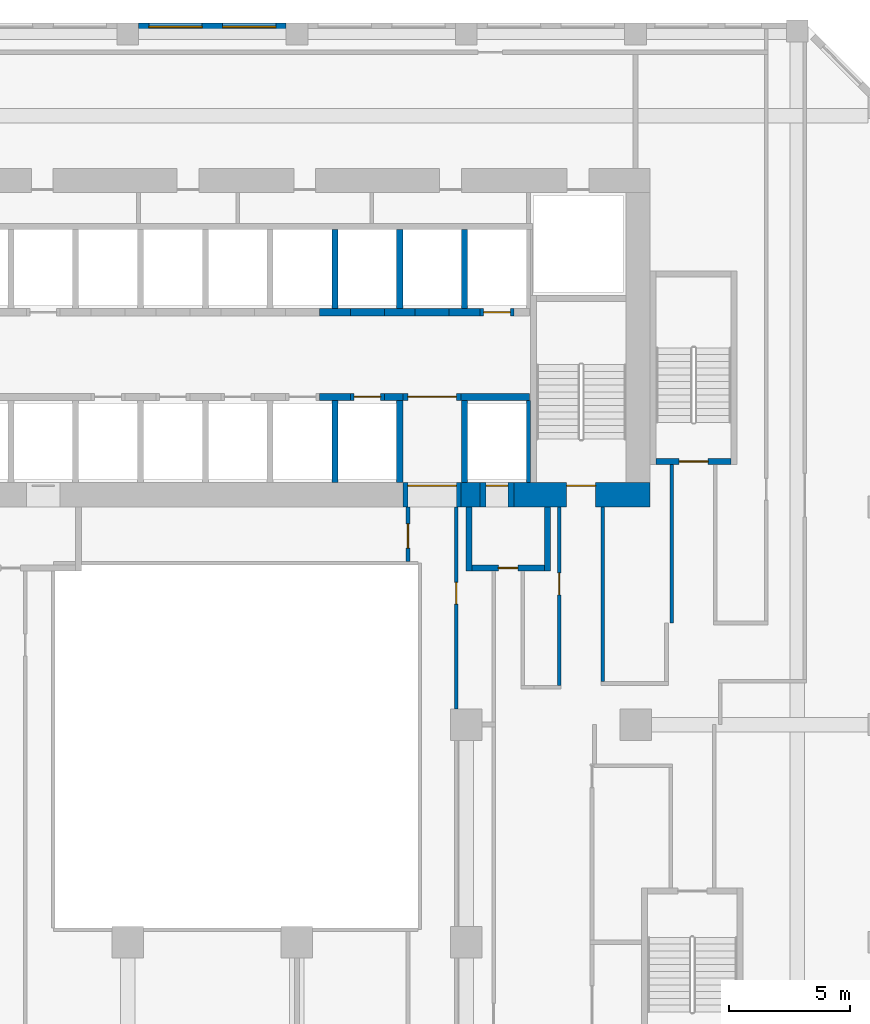
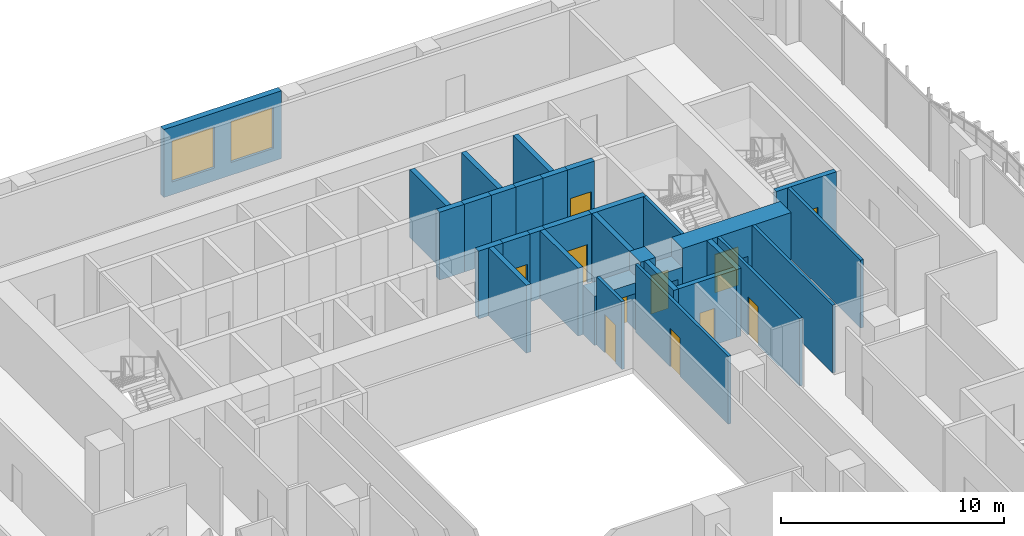
# One storey, part 16 of 27: 32 walls, 11 doors, 2 windows, 13 openings.
"""IFC4 building model written with IfcOpenShell, lengths in metres."""

from ifc_helpers import new_model, si_unit, direction, frame, frame_2d, origin, place, context, subcontext, project, spatial, rectangle, extrude, source, transform, mapped, material, layer, layer_set, type_object, element, fill, save


model = new_model("IFC4")

# Units and contexts
model_context = context("Model", 3, precision=1e-05, world=origin(), true_north=direction((0.0, 1.0)))
body_context = subcontext(model_context, "Body", "Model", "MODEL_VIEW")
ifc_project = project(units=[si_unit("LENGTHUNIT", "METRE"), si_unit("AREAUNIT", "SQUARE_METRE"), si_unit("VOLUMEUNIT", "CUBIC_METRE"), si_unit("PLANEANGLEUNIT", "RADIAN"), si_unit("MASSUNIT", "GRAM", prefix="KILO")], contexts=[model_context])

# Site, building, storey
site_placement = place(None, origin())
site = spatial("IfcSite", under=ifc_project, at=site_placement, CompositionType="ELEMENT")
building_placement = place(site_placement, origin())
building = spatial("IfcBuilding", under=site, at=building_placement, Name="Kilnfold Tower and Market Hall", CompositionType="ELEMENT")
storey_placement = place(building_placement, frame((0.0, 0.0, 43.0)))
storey = spatial("IfcBuildingStorey", under=building, at=storey_placement, Name="L09", CompositionType="ELEMENT", Elevation=43.0)

# Wall, opening, door
ifc_material_1 = material(Name="Gypsum board on steel studs", Category="steel")
ifc_layer_1 = layer(ifc_material_1, 0.14990234375)
ifc_layer_set_1 = layer_set([ifc_layer_1], Name="Gypsum board on steel studs")
wall_type_1 = type_object("IfcWallType", Name="WALL CORRIDOR 150", PredefinedType="PARTITIONING", material=ifc_layer_set_1)
wall_1_placement = place(storey_placement, frame((10.090087890625, -0.35009765625, 0.0), z_axis=(0.0, 0.0, 1.0), x_axis=(0.0, 1.0, 0.0)))
wall_1 = element("IfcWall", 1, at=wall_1_placement, inside=storey, type_object=wall_type_1, Name="Partition LY08.17", PredefinedType="PARTITIONING", context=body_context, shape_type="SweptSolid", body=[
    extrude(rectangle(XDim=8.35009765625, YDim=0.14990234375, at=frame_2d((4.175048828125, 0.0))), origin(), (0.0, 0.0, 1.0), 3.719970703125),
])
opening_1_placement = place(wall_1_placement, frame((4.3291015625, 0.0, 0.0)))
opening_1 = element("IfcOpeningElement", 2, at=opening_1_placement, cuts=wall_1, Name="Opening D2", PredefinedType="OPENING", context=body_context, shape_type="SweptSolid", body=[
    extrude(rectangle(XDim=0.89990234375, YDim=2.10009765625, at=frame_2d((0.449951171875, 1.050048828125))), frame((0.0, 0.0849609375, 0.0), z_axis=(0.0, -1.0, 0.0), x_axis=(1.0, 0.0, 0.0)), (0.0, 0.0, 1.0), 0.169921875),
])
ifc_material_2 = material(Name="Timber veneer door leaf in steel frame", Category="steel")
door_type_1 = type_object("IfcDoorType", Name="DOOR ROOM 900 X2100", OperationType="NOTDEFINED", PredefinedType="DOOR", material=ifc_material_2)
door_1_placement = place(opening_1_placement, origin())
door_1 = element("IfcDoor", 3, at=door_1_placement, inside=storey, type_object=door_type_1, Name="Door D2", OperationType="SINGLE_SWING_RIGHT", OverallHeight=2.10009765625, OverallWidth=0.89990234375, PredefinedType="DOOR", context=body_context, shape_type="SweptSolid", body=[
    extrude(rectangle(XDim=0.89990234375, YDim=2.10009765625, at=frame_2d((0.449951171875, 1.050048828125))), frame((0.0, 0.02490234375, 0.0), z_axis=(0.0, -1.0, 0.0), x_axis=(1.0, 0.0, 0.0)), (0.0, 0.0, 1.0), 0.050048828125),
])
fill(opening_1, door_1)

wall_2_placement = place(storey_placement, frame((14.35009765625, 8.0, 0.0), z_axis=(0.0, 0.0, 1.0), x_axis=(0.0, -1.0, 0.0)))
wall_2 = element("IfcWall", 4, at=wall_2_placement, inside=storey, type_object=wall_type_1, Name="Partition LY08.22", PredefinedType="PARTITIONING", context=body_context, shape_type="SweptSolid", body=[
    extrude(rectangle(XDim=7.375, YDim=0.14990234375, at=frame_2d((3.6875, 0.0))), origin(), (0.0, 0.0, 1.0), 3.719970703125),
])
opening_2_placement = place(wall_2_placement, frame((2.73095703125, 0.0, 0.0)))
opening_2 = element("IfcOpeningElement", 5, at=opening_2_placement, cuts=wall_2, Name="Opening D2", PredefinedType="OPENING", context=body_context, shape_type="SweptSolid", body=[
    extrude(rectangle(XDim=0.89990234375, YDim=2.10009765625, at=frame_2d((0.449951171875, 1.050048828125))), frame((0.0, 0.0849609375, 0.0), z_axis=(0.0, -1.0, 0.0), x_axis=(1.0, 0.0, 0.0)), (0.0, 0.0, 1.0), 0.169921875),
])
door_2_placement = place(opening_2_placement, origin())
door_2 = element("IfcDoor", 6, at=door_2_placement, inside=storey, type_object=door_type_1, Name="Door D2", OperationType="SINGLE_SWING_RIGHT", OverallHeight=2.10009765625, OverallWidth=0.89990234375, PredefinedType="DOOR", context=body_context, shape_type="SweptSolid", body=[
    extrude(rectangle(XDim=0.89990234375, YDim=2.10009765625, at=frame_2d((0.449951171875, 1.050048828125))), frame((0.0, 0.02490234375, 0.0), z_axis=(0.0, -1.0, 0.0), x_axis=(1.0, 0.0, 0.0)), (0.0, 0.0, 1.0), 0.050048828125),
])
fill(opening_2, door_2)

# Walls
wall_3_placement = place(storey_placement, frame((16.14990234375, 0.77490234375, 0.0), z_axis=(0.0, 0.0, 1.0), x_axis=(0.0, 1.0, 0.0)))
element("IfcWall", 7, at=wall_3_placement, inside=storey, type_object=wall_type_1, Name="Partition LY08.23", PredefinedType="PARTITIONING", context=body_context, shape_type="SweptSolid", body=[
    extrude(rectangle(XDim=7.22509765625, YDim=0.14990234375, at=frame_2d((3.612548828125, 0.0))), origin(), (0.0, 0.0, 1.0), 3.719970703125),
])
wall_4_placement = place(storey_placement, frame((19.0, 9.75, 0.0), z_axis=(0.0, 0.0, 1.0), x_axis=(0.0, -1.0, 0.0)))
element("IfcWall", 8, at=wall_4_placement, inside=storey, type_object=wall_type_1, Name="Partition LY08.26", PredefinedType="PARTITIONING", context=body_context, shape_type="SweptSolid", body=[
    extrude(rectangle(XDim=6.550048828125, YDim=0.14990234375, at=frame_2d((3.27490234375, 0.0))), origin(), (0.0, 0.0, 1.0), 3.719970703125),
])

# Wall, opening, door
wall_5_placement = place(storey_placement, frame((8.090087890625, 5.75, 0.0), z_axis=(0.0, 0.0, 1.0), x_axis=(0.0, 1.0, 0.0)))
wall_5 = element("IfcWall", 9, at=wall_5_placement, inside=storey, type_object=wall_type_1, Name="Partition LY08.52", PredefinedType="PARTITIONING", context=body_context, shape_type="SweptSolid", body=[
    extrude(rectangle(XDim=2.25, YDim=0.14990234375, at=frame_2d((1.125, 0.0))), origin(), (0.0, 0.0, 1.0), 3.719970703125),
])
opening_3_placement = place(wall_5_placement, frame((0.550048828125, 0.0, 0.0)))
opening_3 = element("IfcOpeningElement", 10, at=opening_3_placement, cuts=wall_5, Name="Opening D1", PredefinedType="OPENING", context=body_context, shape_type="SweptSolid", body=[
    extrude(rectangle(XDim=1.0, YDim=2.10009765625, at=frame_2d((0.5, 1.050048828125))), frame((0.0, 0.0849609375, 0.0), z_axis=(0.0, -1.0, 0.0), x_axis=(1.0, 0.0, 0.0)), (0.0, 0.0, 1.0), 0.169921875),
])
ifc_material_3 = material(Name="Timber veneer door leaf in steel frame", Category="steel")
door_type_2 = type_object("IfcDoorType", Name="DOOR ENTRY 1000 X2100", OperationType="NOTDEFINED", PredefinedType="DOOR", material=ifc_material_3)
door_3_placement = place(opening_3_placement, origin())
door_3 = element("IfcDoor", 11, at=door_3_placement, inside=storey, type_object=door_type_2, Name="Door D1", OperationType="SINGLE_SWING_RIGHT", OverallHeight=2.10009765625, OverallWidth=1.0, PredefinedType="DOOR", context=body_context, shape_type="SweptSolid", body=[
    extrude(rectangle(XDim=1.0, YDim=2.10009765625, at=frame_2d((0.5, 1.050048828125))), frame((0.0, 0.02490234375, 0.0), z_axis=(0.0, -1.0, 0.0), x_axis=(1.0, 0.0, 0.0)), (0.0, 0.0, 1.0), 0.050048828125),
])
fill(opening_3, door_3)

# Wall
ifc_material_4 = material(Name="Concrete C80", Category="concrete")
ifc_layer_2 = layer(ifc_material_4, 1.0)
ifc_layer_set_2 = layer_set([ifc_layer_2], Name="Concrete C80")
wall_type_2 = type_object("IfcWallType", Name="CORE WALL 1000 C80", PredefinedType="SHEAR", material=ifc_layer_set_2)
shared_shape_1 = source(origin(), body_context, "Body", "SweptSolid", [
    extrude(rectangle(XDim=0.780029296875, YDim=1.0, at=frame_2d((0.39013671875, 0.0))), origin(), (0.0, 0.0, 1.0), 3.719970703125),
])
wall_6_placement = place(storey_placement, frame((10.2900390625, 8.5, 0.0), z_axis=(0.0, 0.0, 1.0), x_axis=(1.0, 0.0, 0.0)))
element("IfcWall", 12, at=wall_6_placement, inside=storey, type_object=wall_type_2, Name="Core outer wall south", PredefinedType="SHEAR", context=body_context, shape_type="MappedRepresentation", body=[
    mapped(shared_shape_1, transform((0.0, 0.0, 0.0))),
])

# Wall, opening, door
shared_shape_2 = source(origin(), body_context, "Body", "SweptSolid", [
    extrude(rectangle(XDim=5.630126953125, YDim=1.0, at=frame_2d((2.81494140625, 0.0))), origin(), (0.0, 0.0, 1.0), 3.719970703125),
])
wall_7_placement = place(storey_placement, frame((12.469970703125, 8.5, 0.0), z_axis=(0.0, 0.0, 1.0), x_axis=(1.0, 0.0, 0.0)))
wall_7 = element("IfcWall", 13, at=wall_7_placement, inside=storey, type_object=wall_type_2, Name="Core outer wall south", PredefinedType="SHEAR", context=body_context, shape_type="MappedRepresentation", body=[
    mapped(shared_shape_2, transform((0.0, 0.0, 0.0))),
])
opening_4_placement = place(wall_7_placement, frame((2.179931640625, 0.0, 0.0)))
opening_4 = element("IfcOpeningElement", 14, at=opening_4_placement, cuts=wall_7, Name="Opening SD1", PredefinedType="OPENING", context=body_context, shape_type="SweptSolid", body=[
    extrude(rectangle(XDim=1.199951171875, YDim=2.10009765625, at=frame_2d((0.60009765625, 1.050048828125))), frame((0.0, 0.510009765625, 0.0), z_axis=(0.0, -1.0, 0.0), x_axis=(1.0, 0.0, 0.0)), (0.0, 0.0, 1.0), 1.02001953125),
])
ifc_material_5 = material(Name="Steel door set with fire-resisting leaf", Category="steel")
door_type_3 = type_object("IfcDoorType", Name="STAIR FLOOR DOOR 1200X2100", OperationType="NOTDEFINED", PredefinedType="DOOR", material=ifc_material_5)
door_4_placement = place(opening_4_placement, origin())
door_4 = element("IfcDoor", 15, at=door_4_placement, inside=storey, type_object=door_type_3, Name="Exit stair ST2 door", OperationType="DOUBLE_DOOR_SINGLE_SWING", OverallHeight=2.10009765625, OverallWidth=1.199951171875, PredefinedType="DOOR", context=body_context, shape_type="SweptSolid", body=[
    extrude(rectangle(XDim=1.199951171875, YDim=2.10009765625, at=frame_2d((0.60009765625, 1.050048828125))), frame((0.0, 0.40478515625, 0.0), z_axis=(0.0, -1.0, 0.0), x_axis=(1.0, 0.0, 0.0)), (0.0, 0.0, 1.0), 0.050048828125),
])
fill(opening_4, door_4)

ifc_material_6 = material(Name="Concrete C80", Category="concrete")
ifc_layer_3 = layer(ifc_material_6, 0.25)
ifc_layer_set_3 = layer_set([ifc_layer_3], Name="Concrete C80")
wall_type_3 = type_object("IfcWallType", Name="CORE WALL 250 C80", PredefinedType="SHEAR", material=ifc_layer_set_3)
shared_shape_3 = source(origin(), body_context, "Body", "SweptSolid", [
    extrude(rectangle(XDim=3.099853515625, YDim=0.25, at=frame_2d((1.5498046875, 0.0))), origin(), (0.0, 0.0, 1.0), 3.719970703125),
])
wall_8_placement = place(storey_placement, frame((18.35009765625, 9.875, 0.0), z_axis=(0.0, 0.0, 1.0), x_axis=(1.0, 0.0, 0.0)))
wall_8 = element("IfcWall", 16, at=wall_8_placement, inside=storey, type_object=wall_type_3, Name="Stair enclosure ST5", PredefinedType="SHEAR", context=body_context, shape_type="MappedRepresentation", body=[
    mapped(shared_shape_3, transform((0.0, 0.0, 0.0))),
])
opening_5_placement = place(wall_8_placement, frame((0.949951171875, 0.0, 0.0)))
opening_5 = element("IfcOpeningElement", 17, at=opening_5_placement, cuts=wall_8, Name="Opening SD1", PredefinedType="OPENING", context=body_context, shape_type="SweptSolid", body=[
    extrude(rectangle(XDim=1.199951171875, YDim=2.10009765625, at=frame_2d((0.60009765625, 1.050048828125))), frame((0.0, 0.135009765625, 0.0), z_axis=(0.0, -1.0, 0.0), x_axis=(1.0, 0.0, 0.0)), (0.0, 0.0, 1.0), 0.27001953125),
])
door_5_placement = place(opening_5_placement, origin())
door_5 = element("IfcDoor", 18, at=door_5_placement, inside=storey, type_object=door_type_3, Name="Exit stair ST5 door", OperationType="DOUBLE_DOOR_SINGLE_SWING", OverallHeight=2.10009765625, OverallWidth=1.199951171875, PredefinedType="DOOR", context=body_context, shape_type="SweptSolid", body=[
    extrude(rectangle(XDim=1.199951171875, YDim=2.10009765625, at=frame_2d((0.60009765625, 1.050048828125))), frame((0.0, 0.02490234375, 0.0), z_axis=(0.0, -1.0, 0.0), x_axis=(1.0, 0.0, 0.0)), (0.0, 0.0, 1.0), 0.050048828125),
])
fill(opening_5, door_5)

# Walls
ifc_material_7 = material(Name="Concrete C80", Category="concrete")
ifc_layer_4 = layer(ifc_material_7, 0.300048828125)
ifc_layer_set_4 = layer_set([ifc_layer_4], Name="Concrete C80")
wall_type_4 = type_object("IfcWallType", Name="CORE WALL 300 C80", PredefinedType="SHEAR", material=ifc_layer_set_4)
shared_shape_4 = source(origin(), body_context, "Body", "SweptSolid", [
    extrude(rectangle(XDim=1.280029296875, YDim=0.300048828125, at=frame_2d((0.64013671875, 0.0))), origin(), (0.0, 0.0, 1.0), 3.719970703125),
])
for number, where, z_axis, x_axis, name in (
    (19, (4.429931640625, 12.550048828125, 0.0), (0.0, 0.0, 1.0), (1.0, 0.0, 0.0), "Core spine wall"),
    (20, (4.429931640625, 16.050048828125, 0.0), (0.0, 0.0, 1.0), (1.0, 0.0, 0.0), "Core spine wall"),
    (21, (9.7900390625, 16.050048828125, 0.0), (0.0, 0.0, 1.0), (1.0, 0.0, 0.0), "Core spine wall"),
):
    element("IfcWall", number, at=place(storey_placement, frame(where, z_axis=z_axis, x_axis=x_axis)), inside=storey, type_object=wall_type_4, Name=name, PredefinedType="SHEAR", context=body_context, shape_type="MappedRepresentation", body=[
        mapped(shared_shape_4, transform((0.0, 0.0, 0.0))),
    ])
shared_shape_5 = source(origin(), body_context, "Body", "SweptSolid", [
    extrude(rectangle(XDim=0.77978515625, YDim=0.300048828125, at=frame_2d((0.389892578125, 0.0))), origin(), (0.0, 0.0, 1.0), 3.719970703125),
])
wall_9_placement = place(storey_placement, frame((7.110107421875, 12.550048828125, 0.0), z_axis=(0.0, 0.0, 1.0), x_axis=(1.0, 0.0, 0.0)))
element("IfcWall", 22, at=wall_9_placement, inside=storey, type_object=wall_type_4, Name="Core spine wall", PredefinedType="SHEAR", context=body_context, shape_type="MappedRepresentation", body=[
    mapped(shared_shape_5, transform((0.0, 0.0, 0.0))),
])
shared_shape_6 = source(origin(), body_context, "Body", "SweptSolid", [
    extrude(rectangle(XDim=2.820068359375, YDim=0.300048828125, at=frame_2d((1.41015625, 0.0))), origin(), (0.0, 0.0, 1.0), 3.719970703125),
])
wall_10_placement = place(storey_placement, frame((10.2900390625, 12.550048828125, 0.0), z_axis=(0.0, 0.0, 1.0), x_axis=(1.0, 0.0, 0.0)))
element("IfcWall", 23, at=wall_10_placement, inside=storey, type_object=wall_type_4, Name="Core spine wall", PredefinedType="SHEAR", context=body_context, shape_type="MappedRepresentation", body=[
    mapped(shared_shape_6, transform((0.0, 0.0, 0.0))),
])
shared_shape_7 = source(origin(), body_context, "Body", "SweptSolid", [
    extrude(rectangle(XDim=1.27978515625, YDim=0.300048828125, at=frame_2d((0.639892578125, 0.0))), origin(), (0.0, 0.0, 1.0), 3.719970703125),
])
wall_11_placement = place(storey_placement, frame((7.110107421875, 16.050048828125, 0.0), z_axis=(0.0, 0.0, 1.0), x_axis=(1.0, 0.0, 0.0)))
element("IfcWall", 24, at=wall_11_placement, inside=storey, type_object=wall_type_4, Name="Core spine wall", PredefinedType="SHEAR", context=body_context, shape_type="MappedRepresentation", body=[
    mapped(shared_shape_7, transform((0.0, 0.0, 0.0))),
])

# Wall, openings, windows
ifc_material_8 = material(Name="Precast concrete C50/60", Category="concrete")
ifc_layer_5 = layer(ifc_material_8, 0.300048828125)
ifc_layer_set_5 = layer_set([ifc_layer_5], Name="Precast concrete C50/60")
wall_type_5 = type_object("IfcWallType", Name="PRECAST WALL 300", PredefinedType="SOLIDWALL", material=ifc_layer_set_5)
shared_shape_8 = source(origin(), body_context, "Body", "SweptSolid", [
    extrude(rectangle(XDim=6.10009765625, YDim=0.300048828125, at=frame_2d((3.050048828125, 0.0))), origin(), (0.0, 0.0, 1.0), 3.719970703125),
])
wall_12_placement = place(storey_placement, frame((3.050048828125, 27.85009765625, 0.0), z_axis=(0.0, 0.0, 1.0), x_axis=(-1.0, 0.0, 0.0)))
wall_12 = element("IfcWall", 25, at=wall_12_placement, inside=storey, type_object=wall_type_5, Name="External wall L09 N", PredefinedType="SOLIDWALL", context=body_context, shape_type="MappedRepresentation", body=[
    mapped(shared_shape_8, transform((0.0, 0.0, 0.0))),
])
opening_6_placement = place(wall_12_placement, frame((0.425048828125, 0.0, 0.699951171875)))
opening_6 = element("IfcOpeningElement", 26, at=opening_6_placement, cuts=wall_12, Name="Opening W1", PredefinedType="OPENING", context=body_context, shape_type="SweptSolid", body=[
    extrude(rectangle(XDim=2.199951171875, YDim=2.25, at=frame_2d((1.10009765625, 1.125))), frame((0.0, 0.16015625, 0.0), z_axis=(0.0, -1.0, 0.0), x_axis=(1.0, 0.0, 0.0)), (0.0, 0.0, 1.0), 0.320068359375),
])
opening_7_placement = place(wall_12_placement, frame((3.47509765625, 0.0, 0.699951171875)))
opening_7 = element("IfcOpeningElement", 27, at=opening_7_placement, cuts=wall_12, Name="Opening W1", PredefinedType="OPENING", context=body_context, shape_type="SweptSolid", body=[
    extrude(rectangle(XDim=2.199951171875, YDim=2.25, at=frame_2d((1.10009765625, 1.125))), frame((0.0, 0.16015625, 0.0), z_axis=(0.0, -1.0, 0.0), x_axis=(1.0, 0.0, 0.0)), (0.0, 0.0, 1.0), 0.320068359375),
])
ifc_material_9 = material(Name="Aluminium frame and double glazing", Category="aluminium")
window_type = type_object("IfcWindowType", Name="WINDOW W1 2200X2250", PartitioningType="SINGLE_PANEL", PredefinedType="WINDOW", material=ifc_material_9)
window_1_placement = place(opening_6_placement, origin())
window_1 = element("IfcWindow", 28, at=window_1_placement, inside=storey, type_object=window_type, Name="Window W1 L09 N-1", OverallHeight=2.25, OverallWidth=2.199951171875, PartitioningType="SINGLE_PANEL", PredefinedType="WINDOW", context=body_context, shape_type="SweptSolid", body=[
    extrude(rectangle(XDim=2.199951171875, YDim=2.25, at=frame_2d((1.10009765625, 1.125))), frame((0.0, 0.030029296875, 0.0), z_axis=(0.0, -1.0, 0.0), x_axis=(1.0, 0.0, 0.0)), (0.0, 0.0, 1.0), 0.06005859375),
])
fill(opening_6, window_1)
window_2_placement = place(opening_7_placement, origin())
window_2 = element("IfcWindow", 29, at=window_2_placement, inside=storey, type_object=window_type, Name="Window W1 L09 N-2", OverallHeight=2.25, OverallWidth=2.199951171875, PartitioningType="SINGLE_PANEL", PredefinedType="WINDOW", context=body_context, shape_type="SweptSolid", body=[
    extrude(rectangle(XDim=2.199951171875, YDim=2.25, at=frame_2d((1.10009765625, 1.125))), frame((0.0, 0.030029296875, 0.0), z_axis=(0.0, -1.0, 0.0), x_axis=(1.0, 0.0, 0.0)), (0.0, 0.0, 1.0), 0.06005859375),
])
fill(opening_7, window_2)

# Wall, opening, door
ifc_material_10 = material(Name="Gypsum shaft wall system")
ifc_layer_6 = layer(ifc_material_10, 1.0)
ifc_layer_set_6 = layer_set([ifc_layer_6], Name="Gypsum shaft wall system")
wall_type_6 = type_object("IfcWallType", Name="LOBBY WALL 1000", PredefinedType="PARTITIONING", material=ifc_layer_set_6)
shared_shape_9 = source(origin(), body_context, "Body", "SweptSolid", [
    extrude(rectangle(XDim=1.39990234375, YDim=1.0, at=frame_2d((0.699951171875, 0.0))), origin(), (0.0, 0.0, 1.0), 2.699951171875),
])
wall_13_placement = place(storey_placement, frame((11.070068359375, 8.5, 0.0), z_axis=(0.0, 0.0, 1.0), x_axis=(1.0, 0.0, 0.0)))
wall_13 = element("IfcWall", 30, at=wall_13_placement, inside=storey, type_object=wall_type_6, Name="Core wall infill", PredefinedType="PARTITIONING", context=body_context, shape_type="MappedRepresentation", body=[
    mapped(shared_shape_9, transform((0.0, 0.0, 0.0))),
])
opening_8_placement = place(wall_13_placement, frame((0.25, 0.0, 0.0)))
opening_8 = element("IfcOpeningElement", 31, at=opening_8_placement, cuts=wall_13, Name="Opening LD1", PredefinedType="OPENING", context=body_context, shape_type="SweptSolid", body=[
    extrude(rectangle(XDim=0.89990234375, YDim=2.10009765625, at=frame_2d((0.449951171875, 1.050048828125))), frame((0.0, 0.510009765625, 0.0), z_axis=(0.0, -1.0, 0.0), x_axis=(1.0, 0.0, 0.0)), (0.0, 0.0, 1.0), 1.02001953125),
])
ifc_material_11 = material(Name="Steel door set with fire-resisting leaf", Category="steel")
door_type_4 = type_object("IfcDoorType", Name="FIREFIGHTING LANDING DOOR 900X2100", OperationType="NOTDEFINED", PredefinedType="DOOR", material=ifc_material_11)
door_6_placement = place(opening_8_placement, origin())
door_6 = element("IfcDoor", 32, at=door_6_placement, inside=storey, type_object=door_type_4, Name="Landing door FF3", OperationType="SLIDING_TO_LEFT", OverallHeight=2.10009765625, OverallWidth=0.89990234375, PredefinedType="DOOR", context=body_context, shape_type="SweptSolid", body=[
    extrude(rectangle(XDim=0.89990234375, YDim=2.10009765625, at=frame_2d((0.449951171875, 1.050048828125))), frame((0.0, 0.40478515625, 0.0), z_axis=(0.0, -1.0, 0.0), x_axis=(1.0, 0.0, 0.0)), (0.0, 0.0, 1.0), 0.050048828125),
])
fill(opening_8, door_6)

shared_shape_10 = source(origin(), body_context, "Body", "SweptSolid", [
    extrude(rectangle(XDim=2.400146484375, YDim=1.0, at=frame_2d((1.2001953125, 0.0))), origin(), (0.0, 0.0, 1.0), 2.699951171875),
])
wall_14_placement = place(storey_placement, frame((7.889892578125, 8.5, 0.0), z_axis=(0.0, 0.0, 1.0), x_axis=(1.0, 0.0, 0.0)))
wall_14 = element("IfcWall", 33, at=wall_14_placement, inside=storey, type_object=wall_type_6, Name="Core wall infill", PredefinedType="PARTITIONING", context=body_context, shape_type="MappedRepresentation", body=[
    mapped(shared_shape_10, transform((0.0, 0.0, 0.0))),
])
opening_9_placement = place(wall_14_placement, frame((0.199951171875, 0.0, 0.0)))
opening_9 = element("IfcOpeningElement", 34, at=opening_9_placement, cuts=wall_14, Name="Opening VD2", PredefinedType="OPENING", context=body_context, shape_type="SweptSolid", body=[
    extrude(rectangle(XDim=2.0, YDim=2.10009765625, at=frame_2d((1.0, 1.050048828125))), frame((0.0, 0.510009765625, 0.0), z_axis=(0.0, -1.0, 0.0), x_axis=(1.0, 0.0, 0.0)), (0.0, 0.0, 1.0), 1.02001953125),
])
ifc_material_12 = material(Name="Steel door set with fire-resisting leaf", Category="steel")
door_type_5 = type_object("IfcDoorType", Name="LIFT LOBBY ENTRANCE DOOR 2000X2100", OperationType="NOTDEFINED", PredefinedType="DOOR", material=ifc_material_12)
door_7_placement = place(opening_9_placement, origin())
door_7 = element("IfcDoor", 35, at=door_7_placement, inside=storey, type_object=door_type_5, Name="Lift lobby entrance door", OperationType="DOUBLE_DOOR_SINGLE_SWING", OverallHeight=2.10009765625, OverallWidth=2.0, PredefinedType="DOOR", context=body_context, shape_type="SweptSolid", body=[
    extrude(rectangle(XDim=2.0, YDim=2.10009765625, at=frame_2d((1.0, 1.050048828125))), frame((0.0, 0.40478515625, 0.0), z_axis=(0.0, -1.0, 0.0), x_axis=(1.0, 0.0, 0.0)), (0.0, 0.0, 1.0), 0.050048828125),
])
fill(opening_9, door_7)

ifc_material_13 = material(Name="Gypsum shaft wall system")
ifc_layer_7 = layer(ifc_material_13, 0.300048828125)
ifc_layer_set_7 = layer_set([ifc_layer_7], Name="Gypsum shaft wall system")
wall_type_7 = type_object("IfcWallType", Name="SHAFT WALL 300", PredefinedType="PARTITIONING", material=ifc_layer_set_7)
shared_shape_11 = source(origin(), body_context, "Body", "SweptSolid", [
    extrude(rectangle(XDim=1.39990234375, YDim=0.300048828125, at=frame_2d((0.699951171875, 0.0))), origin(), (0.0, 0.0, 1.0), 3.719970703125),
])
wall_15_placement = place(storey_placement, frame((11.070068359375, 16.050048828125, 0.0), z_axis=(0.0, 0.0, 1.0), x_axis=(1.0, 0.0, 0.0)))
wall_15 = element("IfcWall", 36, at=wall_15_placement, inside=storey, type_object=wall_type_7, Name="Lift shaft front wall", PredefinedType="PARTITIONING", context=body_context, shape_type="MappedRepresentation", body=[
    mapped(shared_shape_11, transform((0.0, 0.0, 0.0))),
])
opening_10_placement = place(wall_15_placement, frame((0.14990234375, 0.0, 0.0)))
opening_10 = element("IfcOpeningElement", 37, at=opening_10_placement, cuts=wall_15, Name="Opening LD2", PredefinedType="OPENING", context=body_context, shape_type="SweptSolid", body=[
    extrude(rectangle(XDim=1.10009765625, YDim=2.10009765625, at=frame_2d((0.550048828125, 1.050048828125))), frame((0.0, 0.16015625, 0.0), z_axis=(0.0, -1.0, 0.0), x_axis=(1.0, 0.0, 0.0)), (0.0, 0.0, 1.0), 0.320068359375),
])
ifc_material_14 = material(Name="Steel door set with fire-resisting leaf", Category="steel")
door_type_6 = type_object("IfcDoorType", Name="LANDING DOOR 1100X2100", OperationType="NOTDEFINED", PredefinedType="DOOR", material=ifc_material_14)
door_8_placement = place(opening_10_placement, origin())
door_8 = element("IfcDoor", 38, at=door_8_placement, inside=storey, type_object=door_type_6, Name="Landing door LR6", OperationType="DOUBLE_DOOR_SLIDING", OverallHeight=2.10009765625, OverallWidth=1.10009765625, PredefinedType="DOOR", context=body_context, shape_type="SweptSolid", body=[
    extrude(rectangle(XDim=1.10009765625, YDim=2.10009765625, at=frame_2d((0.550048828125, 1.050048828125))), frame((0.0, 0.02490234375, 0.0), z_axis=(0.0, -1.0, 0.0), x_axis=(1.0, 0.0, 0.0)), (0.0, 0.0, 1.0), 0.050048828125),
])
fill(opening_10, door_8)

shared_shape_12 = source(origin(), body_context, "Body", "SweptSolid", [
    extrude(rectangle(XDim=1.400146484375, YDim=0.300048828125, at=frame_2d((0.7001953125, 0.0))), origin(), (0.0, 0.0, 1.0), 3.719970703125),
])
wall_16_placement = place(storey_placement, frame((5.7099609375, 12.550048828125, 0.0), z_axis=(0.0, 0.0, 1.0), x_axis=(1.0, 0.0, 0.0)))
wall_16 = element("IfcWall", 39, at=wall_16_placement, inside=storey, type_object=wall_type_7, Name="Lift shaft front wall", PredefinedType="PARTITIONING", context=body_context, shape_type="MappedRepresentation", body=[
    mapped(shared_shape_12, transform((0.0, 0.0, 0.0))),
])
opening_11_placement = place(wall_16_placement, frame((0.14990234375, 0.0, 0.0)))
opening_11 = element("IfcOpeningElement", 40, at=opening_11_placement, cuts=wall_16, Name="Opening LD2", PredefinedType="OPENING", context=body_context, shape_type="SweptSolid", body=[
    extrude(rectangle(XDim=1.10009765625, YDim=2.10009765625, at=frame_2d((0.550048828125, 1.050048828125))), frame((0.0, 0.16015625, 0.0), z_axis=(0.0, -1.0, 0.0), x_axis=(1.0, 0.0, 0.0)), (0.0, 0.0, 1.0), 0.320068359375),
])
door_9_placement = place(opening_11_placement, origin())
door_9 = element("IfcDoor", 41, at=door_9_placement, inside=storey, type_object=door_type_6, Name="Landing door LR5", OperationType="DOUBLE_DOOR_SLIDING", OverallHeight=2.10009765625, OverallWidth=1.10009765625, PredefinedType="DOOR", context=body_context, shape_type="SweptSolid", body=[
    extrude(rectangle(XDim=1.10009765625, YDim=2.10009765625, at=frame_2d((0.550048828125, 1.050048828125))), frame((0.0, 0.02490234375, 0.0), z_axis=(0.0, -1.0, 0.0), x_axis=(1.0, 0.0, 0.0)), (0.0, 0.0, 1.0), 0.050048828125),
])
fill(opening_11, door_9)

# Walls
for number, where, z_axis, x_axis, name in (
    (42, (5.7099609375, 16.050048828125, 0.0), (0.0, 0.0, 1.0), (1.0, 0.0, 0.0), "Lift shaft front wall"),
    (43, (8.389892578125, 16.050048828125, 0.0), (0.0, 0.0, 1.0), (1.0, 0.0, 0.0), "Lift shaft front wall"),
):
    element("IfcWall", number, at=place(storey_placement, frame(where, z_axis=z_axis, x_axis=x_axis)), inside=storey, type_object=wall_type_7, Name=name, PredefinedType="PARTITIONING", context=body_context, shape_type="MappedRepresentation", body=[
        mapped(shared_shape_12, transform((0.0, 0.0, 0.0))),
    ])

# Wall, opening, door
shared_shape_13 = source(origin(), body_context, "Body", "SweptSolid", [
    extrude(rectangle(XDim=2.400146484375, YDim=0.300048828125, at=frame_2d((1.2001953125, 0.0))), origin(), (0.0, 0.0, 1.0), 3.719970703125),
])
wall_17_placement = place(storey_placement, frame((7.889892578125, 12.550048828125, 0.0), z_axis=(0.0, 0.0, 1.0), x_axis=(1.0, 0.0, 0.0)))
wall_17 = element("IfcWall", 44, at=wall_17_placement, inside=storey, type_object=wall_type_7, Name="Lift shaft front wall", PredefinedType="PARTITIONING", context=body_context, shape_type="MappedRepresentation", body=[
    mapped(shared_shape_13, transform((0.0, 0.0, 0.0))),
])
opening_12_placement = place(wall_17_placement, frame((0.199951171875, 0.0, 0.0)))
opening_12 = element("IfcOpeningElement", 45, at=opening_12_placement, cuts=wall_17, Name="Opening VD2", PredefinedType="OPENING", context=body_context, shape_type="SweptSolid", body=[
    extrude(rectangle(XDim=2.0, YDim=2.10009765625, at=frame_2d((1.0, 1.050048828125))), frame((0.0, 0.16015625, 0.0), z_axis=(0.0, -1.0, 0.0), x_axis=(1.0, 0.0, 0.0)), (0.0, 0.0, 1.0), 0.320068359375),
])
door_10_placement = place(opening_12_placement, origin())
door_10 = element("IfcDoor", 46, at=door_10_placement, inside=storey, type_object=door_type_5, Name="Lift lobby entrance door", OperationType="DOUBLE_DOOR_SINGLE_SWING", OverallHeight=2.10009765625, OverallWidth=2.0, PredefinedType="DOOR", context=body_context, shape_type="SweptSolid", body=[
    extrude(rectangle(XDim=2.0, YDim=2.10009765625, at=frame_2d((1.0, 1.050048828125))), frame((0.0, 0.02490234375, 0.0), z_axis=(0.0, -1.0, 0.0), x_axis=(1.0, 0.0, 0.0)), (0.0, 0.0, 1.0), 0.050048828125),
])
fill(opening_12, door_10)

# Walls
ifc_material_15 = material(Name="Gypsum shaft wall system")
ifc_layer_8 = layer(ifc_material_15, 0.25)
ifc_layer_set_8 = layer_set([ifc_layer_8], Name="Gypsum shaft wall system")
wall_type_8 = type_object("IfcWallType", Name="LOBBY WALL 250", PredefinedType="PARTITIONING", material=ifc_layer_set_8)
shared_shape_14 = source(origin(), body_context, "Body", "SweptSolid", [
    extrude(rectangle(XDim=2.64990234375, YDim=0.25, at=frame_2d((1.324951171875, 0.0))), origin(), (0.0, 0.0, 1.0), 3.719970703125),
])
for number, where, z_axis, x_axis, name in (
    (47, (10.60498046875, 5.35009765625, 0.0), (0.0, 0.0, 1.0), (0.0, 1.0, 0.0), "Firefighting lobby wall"),
    (48, (13.85498046875, 5.35009765625, 0.0), (0.0, 0.0, 1.0), (0.0, 1.0, 0.0), "Firefighting lobby wall"),
):
    element("IfcWall", number, at=place(storey_placement, frame(where, z_axis=z_axis, x_axis=x_axis)), inside=storey, type_object=wall_type_8, Name=name, PredefinedType="PARTITIONING", context=body_context, shape_type="MappedRepresentation", body=[
        mapped(shared_shape_14, transform((0.0, 0.0, 0.0))),
    ])

# Wall, opening, door
shared_shape_15 = source(origin(), body_context, "Body", "SweptSolid", [
    extrude(rectangle(XDim=3.0, YDim=0.25, at=frame_2d((1.5, 0.0))), origin(), (0.0, 0.0, 1.0), 3.719970703125),
])
wall_18_placement = place(storey_placement, frame((10.72998046875, 5.47509765625, 0.0), z_axis=(0.0, 0.0, 1.0), x_axis=(1.0, 0.0, 0.0)))
wall_18 = element("IfcWall", 49, at=wall_18_placement, inside=storey, type_object=wall_type_8, Name="Firefighting lobby wall", PredefinedType="PARTITIONING", context=body_context, shape_type="MappedRepresentation", body=[
    mapped(shared_shape_15, transform((0.0, 0.0, 0.0))),
])
opening_13_placement = place(wall_18_placement, frame((1.10009765625, 0.0, 0.0)))
opening_13 = element("IfcOpeningElement", 50, at=opening_13_placement, cuts=wall_18, Name="Opening VD1", PredefinedType="OPENING", context=body_context, shape_type="SweptSolid", body=[
    extrude(rectangle(XDim=0.800048828125, YDim=2.0, at=frame_2d((0.39990234375, 1.0))), frame((0.0, 0.135009765625, 0.0), z_axis=(0.0, -1.0, 0.0), x_axis=(1.0, 0.0, 0.0)), (0.0, 0.0, 1.0), 0.27001953125),
])
ifc_material_16 = material(Name="Steel door set with fire-resisting leaf", Category="steel")
door_type_7 = type_object("IfcDoorType", Name="FIREFIGHTING LOBBY DOOR 800X2000", OperationType="NOTDEFINED", PredefinedType="DOOR", material=ifc_material_16)
door_11_placement = place(opening_13_placement, origin())
door_11 = element("IfcDoor", 51, at=door_11_placement, inside=storey, type_object=door_type_7, Name="Firefighting lobby door", OperationType="SINGLE_SWING_RIGHT", OverallHeight=2.0, OverallWidth=0.800048828125, PredefinedType="DOOR", context=body_context, shape_type="SweptSolid", body=[
    extrude(rectangle(XDim=0.800048828125, YDim=2.0, at=frame_2d((0.39990234375, 1.0))), frame((0.0, 0.02490234375, 0.0), z_axis=(0.0, -1.0, 0.0), x_axis=(1.0, 0.0, 0.0)), (0.0, 0.0, 1.0), 0.050048828125),
])
fill(opening_13, door_11)

# Walls
ifc_material_17 = material(Name="Gypsum shaft wall system")
ifc_layer_9 = layer(ifc_material_17, 0.25)
ifc_layer_set_9 = layer_set([ifc_layer_9], Name="Gypsum shaft wall system")
wall_type_9 = type_object("IfcWallType", Name="SHAFT WALL 250", PredefinedType="PARTITIONING", material=ifc_layer_set_9)
shared_shape_16 = source(origin(), body_context, "Body", "SweptSolid", [
    extrude(rectangle(XDim=3.275146484375, YDim=0.25, at=frame_2d((1.6376953125, 0.0))), origin(), (0.0, 0.0, 1.0), 3.719970703125),
])
for number, where, z_axis, x_axis, name in (
    (52, (10.429931640625, 16.199951171875, 0.0), (0.0, 0.0, 1.0), (0.0, 1.0, 0.0), "Lift shaft wall"),
    (53, (5.070068359375, 16.199951171875, 0.0), (0.0, 0.0, 1.0), (0.0, 1.0, 0.0), "Lift shaft wall"),
    (54, (7.75, 16.199951171875, 0.0), (0.0, 0.0, 1.0), (0.0, 1.0, 0.0), "Lift shaft wall"),
):
    element("IfcWall", number, at=place(storey_placement, frame(where, z_axis=z_axis, x_axis=x_axis)), inside=storey, type_object=wall_type_9, Name=name, PredefinedType="PARTITIONING", context=body_context, shape_type="MappedRepresentation", body=[
        mapped(shared_shape_16, transform((0.0, 0.0, 0.0))),
    ])
shared_shape_17 = source(origin(), body_context, "Body", "SweptSolid", [
    extrude(rectangle(XDim=3.39990234375, YDim=0.25, at=frame_2d((1.699951171875, 0.0))), origin(), (0.0, 0.0, 1.0), 3.719970703125),
])
for number, where, z_axis, x_axis, name in (
    (55, (10.429931640625, 9.0, 0.0), (0.0, 0.0, 1.0), (0.0, 1.0, 0.0), "Lift shaft wall"),
    (56, (5.070068359375, 9.0, 0.0), (0.0, 0.0, 1.0), (0.0, 1.0, 0.0), "Lift shaft wall"),
    (57, (7.75, 9.0, 0.0), (0.0, 0.0, 1.0), (0.0, 1.0, 0.0), "Lift shaft wall"),
):
    element("IfcWall", number, at=place(storey_placement, frame(where, z_axis=z_axis, x_axis=x_axis)), inside=storey, type_object=wall_type_9, Name=name, PredefinedType="PARTITIONING", context=body_context, shape_type="MappedRepresentation", body=[
        mapped(shared_shape_17, transform((0.0, 0.0, 0.0))),
    ])
ifc_material_18 = material(Name="Gypsum shaft wall system")
ifc_layer_10 = layer(ifc_material_18, 0.1650390625)
ifc_layer_set_10 = layer_set([ifc_layer_10], Name="Gypsum shaft wall system")
wall_type_10 = type_object("IfcWallType", Name="SHAFT WALL 165", PredefinedType="PARTITIONING", material=ifc_layer_set_10)
shared_shape_18 = source(origin(), body_context, "Body", "SweptSolid", [
    extrude(rectangle(XDim=3.39990234375, YDim=0.1650390625, at=frame_2d((1.699951171875, 0.0))), origin(), (0.0, 0.0, 1.0), 3.719970703125),
])
wall_19_placement = place(storey_placement, frame((13.0673828125, 9.0, 0.0), z_axis=(0.0, 0.0, 1.0), x_axis=(0.0, 1.0, 0.0)))
element("IfcWall", 58, at=wall_19_placement, inside=storey, type_object=wall_type_10, Name="Lift shaft wall", PredefinedType="PARTITIONING", context=body_context, shape_type="MappedRepresentation", body=[
    mapped(shared_shape_18, transform((0.0, 0.0, 0.0))),
])

save(model, "model.ifc")
